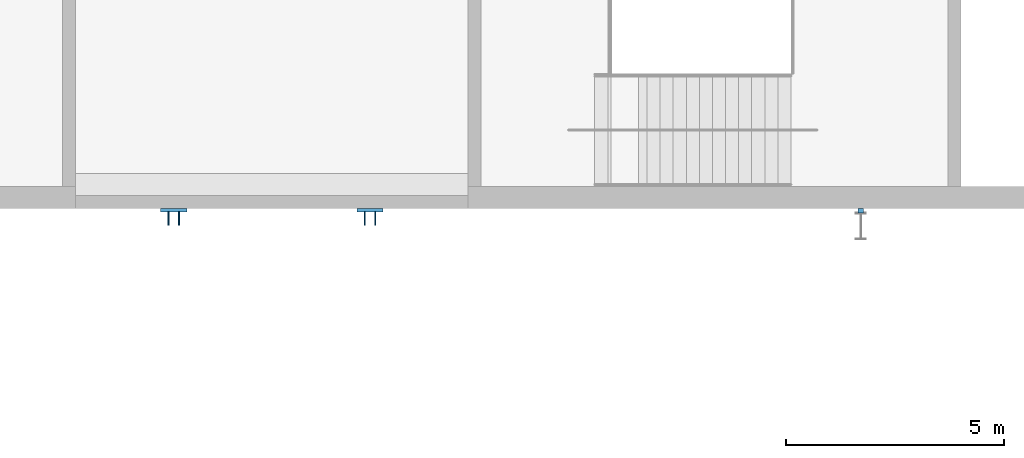
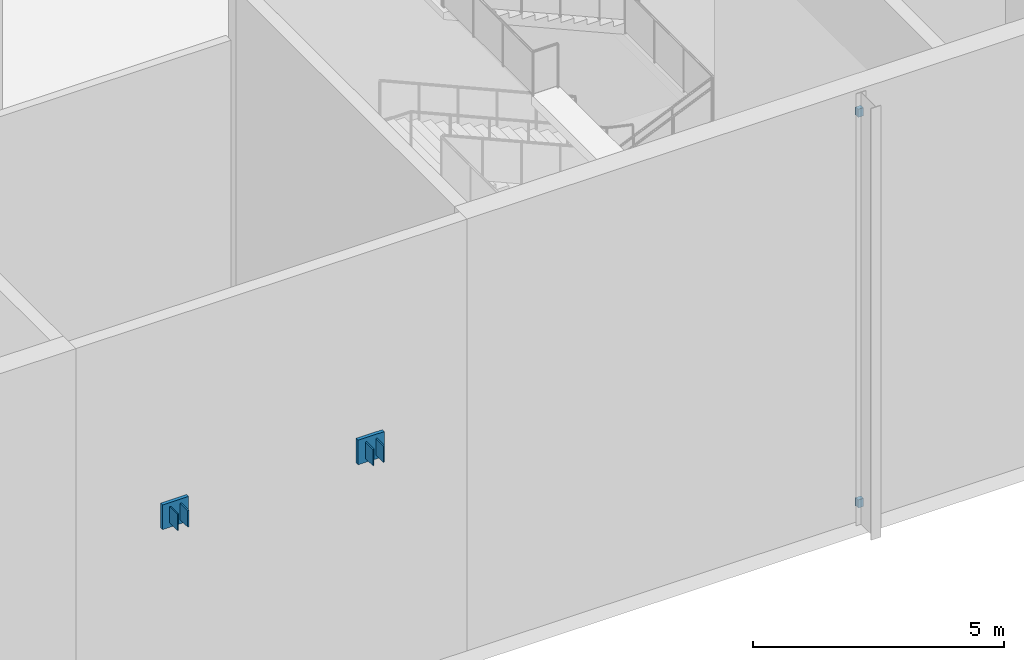
# One storey, part 118 of 182: 8 discrete accessories.
"""IFC4 building model written with IfcOpenShell, lengths in metres."""

from ifc_helpers import new_model, si_unit, direction, frame, origin, origin_2d, place, context, subcontext, project, spatial, rectangle, extrude, material, type_object, element, save


model = new_model("IFC4")

# Units and contexts
model_context = context("Model", 3, precision=1e-05, world=origin(), true_north=direction((0.0, 1.0)))
body_context = subcontext(model_context, "Body", "Model", "MODEL_VIEW")
ifc_project = project(units=[si_unit("LENGTHUNIT", "METRE"), si_unit("AREAUNIT", "SQUARE_METRE"), si_unit("VOLUMEUNIT", "CUBIC_METRE"), si_unit("PLANEANGLEUNIT", "RADIAN"), si_unit("MASSUNIT", "GRAM", prefix="KILO")], contexts=[model_context])

# Site, building, storey
site_placement = place(None, origin())
site = spatial("IfcSite", under=ifc_project, at=site_placement, CompositionType="ELEMENT")
building_placement = place(site_placement, origin())
building = spatial("IfcBuilding", under=site, at=building_placement, Name="Silverbay Arena", CompositionType="ELEMENT")
storey_placement = place(building_placement, frame((0.0, 0.0, 11.5)))
storey = spatial("IfcBuildingStorey", under=building, at=storey_placement, Name="L02", CompositionType="ELEMENT", Elevation=11.5)

# Discrete accessories
ifc_material = material(Name="Steel S355", Category="steel")
discrete_accessory_type = type_object("IfcDiscreteAccessoryType", Name="Steel bracket plate", PredefinedType="BRACKET", material=ifc_material)
discrete_accessory_1_placement = place(storey_placement, frame((182.25, 17.4599609375, 5.46337890625), z_axis=(0.0, 0.0, 1.0), x_axis=(1.0, 0.0, 0.0)))
element("IfcDiscreteAccessory", 1, at=discrete_accessory_1_placement, inside=storey, type_object=discrete_accessory_type, Name="Marquee tie anchor plate", PredefinedType="BRACKET", context=body_context, shape_type="SweptSolid", body=[
    extrude(rectangle(XDim=0.60009765625, YDim=0.080078125, at=origin_2d()), origin(), (0.0, 0.0, 1.0), 0.60009765625),
])
for number, where, z_axis, x_axis, name in (
    (2, (182.1298828125, 17.27001953125, 5.5634765625), (0.0, 0.0, 1.0), (1.0, 0.0, 0.0), "Marquee tie gusset plate"),
    (3, (182.3701171875, 17.27001953125, 5.5634765625), (0.0, 0.0, 1.0), (1.0, 0.0, 0.0), "Marquee tie gusset plate"),
):
    element("IfcDiscreteAccessory", number, at=place(storey_placement, frame(where, z_axis=z_axis, x_axis=x_axis)), inside=storey, type_object=discrete_accessory_type, Name=name, PredefinedType="BRACKET", context=body_context, shape_type="SweptSolid", body=[
        extrude(rectangle(XDim=0.030029296875, YDim=0.300048828125, at=origin_2d()), origin(), (0.0, 0.0, 1.0), 0.39990234375),
    ])
discrete_accessory_2_placement = place(storey_placement, frame((186.75, 17.4599609375, 5.46337890625), z_axis=(0.0, 0.0, 1.0), x_axis=(1.0, 0.0, 0.0)))
element("IfcDiscreteAccessory", 4, at=discrete_accessory_2_placement, inside=storey, type_object=discrete_accessory_type, Name="Marquee tie anchor plate", PredefinedType="BRACKET", context=body_context, shape_type="SweptSolid", body=[
    extrude(rectangle(XDim=0.60009765625, YDim=0.080078125, at=origin_2d()), origin(), (0.0, 0.0, 1.0), 0.60009765625),
])
for number, where, z_axis, x_axis, name in (
    (5, (186.6298828125, 17.27001953125, 5.5634765625), (0.0, 0.0, 1.0), (1.0, 0.0, 0.0), "Marquee tie gusset plate"),
    (6, (186.8701171875, 17.27001953125, 5.5634765625), (0.0, 0.0, 1.0), (1.0, 0.0, 0.0), "Marquee tie gusset plate"),
):
    element("IfcDiscreteAccessory", number, at=place(storey_placement, frame(where, z_axis=z_axis, x_axis=x_axis)), inside=storey, type_object=discrete_accessory_type, Name=name, PredefinedType="BRACKET", context=body_context, shape_type="SweptSolid", body=[
        extrude(rectangle(XDim=0.030029296875, YDim=0.300048828125, at=origin_2d()), origin(), (0.0, 0.0, 1.0), 0.39990234375),
    ])
for number, where, z_axis, x_axis, name in (
    (7, (198.0, 17.449951171875, 0.39990234375), (0.0, 0.0, 1.0), (1.0, 0.0, 0.0), "Fin bracket"),
    (8, (198.0, 17.449951171875, 9.89990234375), (0.0, 0.0, 1.0), (1.0, 0.0, 0.0), "Fin bracket"),
):
    element("IfcDiscreteAccessory", number, at=place(storey_placement, frame(where, z_axis=z_axis, x_axis=x_axis)), inside=storey, type_object=discrete_accessory_type, Name=name, PredefinedType="BRACKET", context=body_context, shape_type="SweptSolid", body=[
        extrude(rectangle(XDim=0.1201171875, YDim=0.10009765625, at=origin_2d()), origin(), (0.0, 0.0, 1.0), 0.199951171875),
    ])

save(model, "model.ifc")
